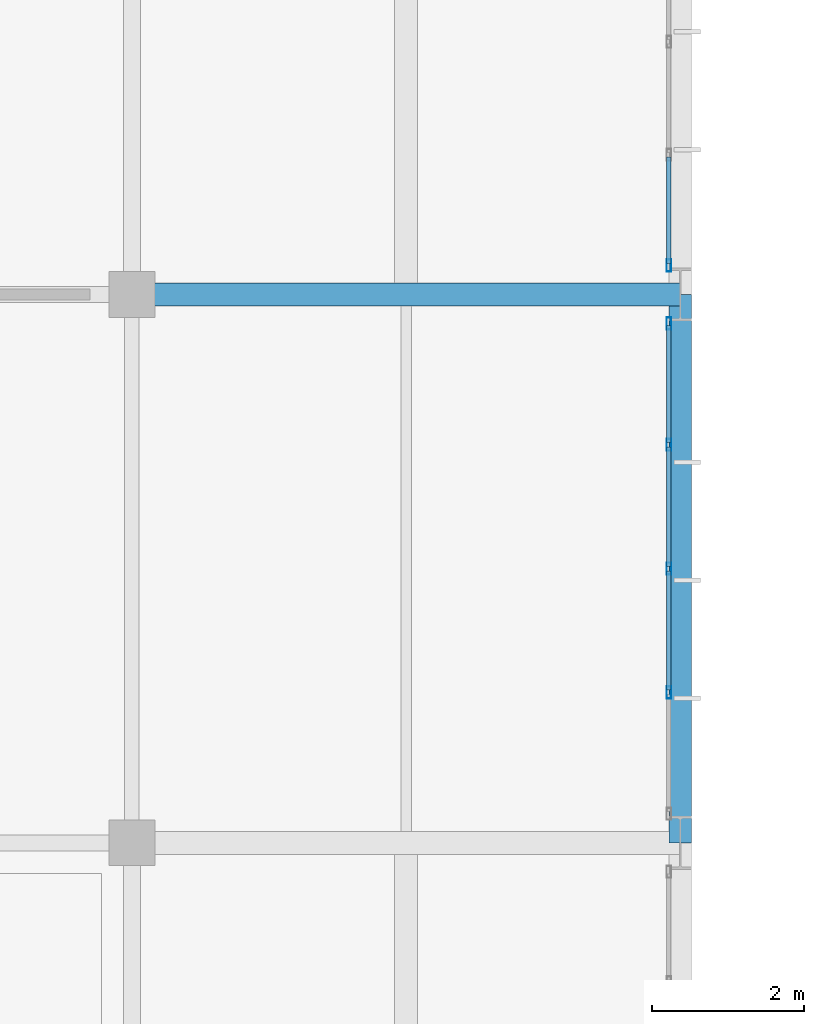
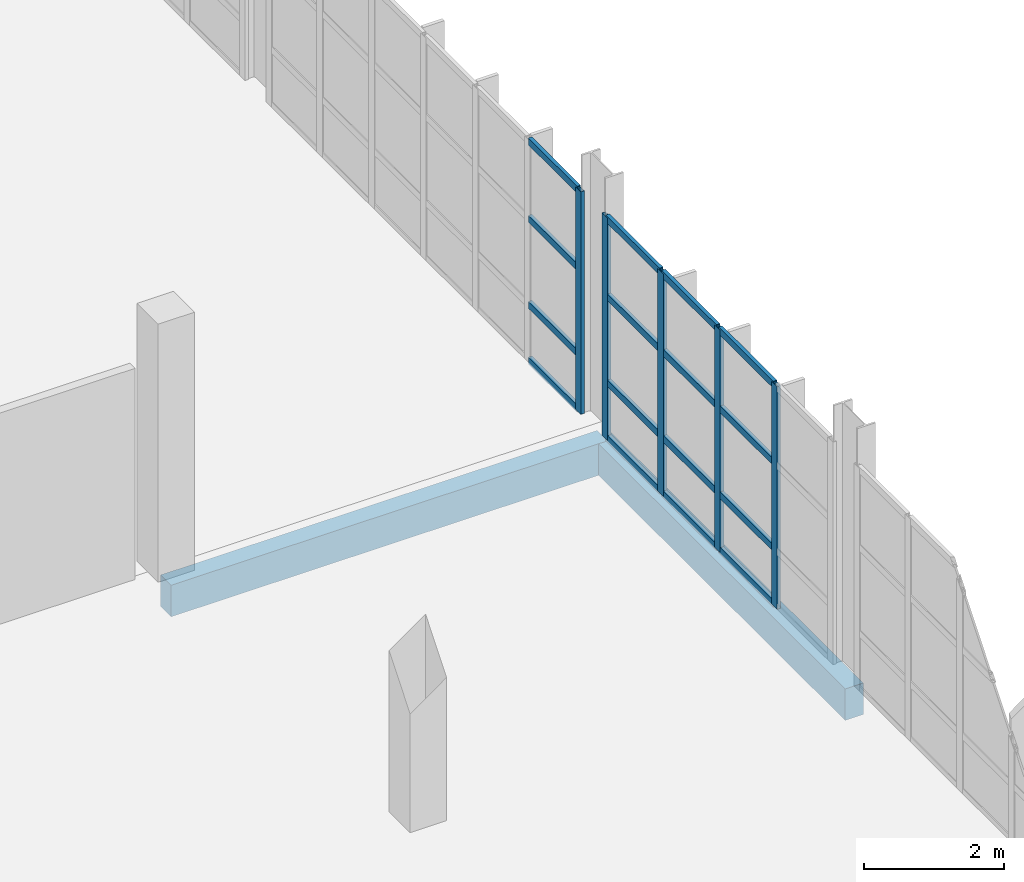
# One storey, part 72 of 113: 21 members, 2 beams, 2 elements without a shape of their own.
"""IFC4 building model written with IfcOpenShell, lengths in metres."""

from ifc_helpers import new_model, si_unit, direction, frame, origin, origin_2d, place, context, subcontext, project, spatial, rectangle, hollow_rectangle, extrude, material, material_profile, profile_set, type_object, element, aggregate, save


model = new_model("IFC4")

# Units and contexts
model_context = context("Model", 3, precision=1e-05, world=origin(), true_north=direction((0.0, 1.0)))
body_context = subcontext(model_context, "Body", "Model", "MODEL_VIEW")
ifc_project = project(units=[si_unit("LENGTHUNIT", "METRE"), si_unit("AREAUNIT", "SQUARE_METRE"), si_unit("VOLUMEUNIT", "CUBIC_METRE"), si_unit("PLANEANGLEUNIT", "RADIAN"), si_unit("MASSUNIT", "GRAM", prefix="KILO")], contexts=[model_context])

# Site, building, storey
site_placement = place(None, origin())
site = spatial("IfcSite", under=ifc_project, at=site_placement, CompositionType="ELEMENT")
building_placement = place(site_placement, origin())
building = spatial("IfcBuilding", under=site, at=building_placement, Name="Veltarok Museum of Natural Sciences", CompositionType="ELEMENT")
storey_placement = place(building_placement, frame((0.0, 0.0, 8.39990234375)))
storey = spatial("IfcBuildingStorey", under=building, at=storey_placement, Name="L01", CompositionType="ELEMENT", Elevation=8.39990234375)

# Curtain wall, members
ifc_material_1 = material(Name="Low-iron triple insulated glass", Category="glass")
curtain_wall_type_1 = type_object("IfcCurtainWallType", Name="Curtain Wall System CW-V5E-L01-C-650x388 (V5 East Lab L01 C-D 650x388cm)", PredefinedType="NOTDEFINED", material=ifc_material_1)
curtain_wall_1_placement = place(storey_placement, origin())
curtain_wall_1 = element("IfcCurtainWall", 1, at=curtain_wall_1_placement, inside=storey, type_object=curtain_wall_type_1, Name="Curtain Wall CW-V5E-L01-C-650x388 CW-0104", PredefinedType="NOTDEFINED")
ifc_material_2 = material(Name="Thermally broken anodised aluminium", Category="aluminium")
ifc_material_profile_1 = material_profile(ifc_material_2, hollow_rectangle(XDim=0.06005859375, YDim=0.1201171875, WallThickness=0.0048828125, at=origin_2d()), Name="CW TRANSOM 60x120x5")
ifc_profile_set_1 = profile_set([ifc_material_profile_1], Name="Thermally broken anodised aluminium")
member_type_1 = type_object("IfcMemberType", Name="Curtain Wall Horizontal Transom 60x120x5", PredefinedType="USERDEFINED", material=ifc_profile_set_1)
member_1_placement = place(storey_placement, frame((164.64990234375, 21.205078125, 0.030029296875), z_axis=(0.0, 1.0, 0.0), x_axis=(-1.0, 0.0, 0.0)))
member_1 = element("IfcMember", 2, at=member_1_placement, type_object=member_type_1, Name="CW-V5E-L01-C-650x388 transom 2.1", ObjectType="TRANSOM", PredefinedType="USERDEFINED", context=body_context, shape_type="SweptSolid", body=[
    extrude(hollow_rectangle(XDim=0.06005859375, YDim=0.1201171875, WallThickness=0.0048828125, at=origin_2d()), origin(), (0.0, 0.0, 1.0), 1.56494140625),
])
member_2_placement = place(storey_placement, frame((164.64990234375, 21.205078125, 1.0), z_axis=(0.0, 1.0, 0.0), x_axis=(-1.0, 0.0, 0.0)))
member_2 = element("IfcMember", 3, at=member_2_placement, type_object=member_type_1, Name="CW-V5E-L01-C-650x388 transom 2.2", ObjectType="TRANSOM", PredefinedType="USERDEFINED", context=body_context, shape_type="SweptSolid", body=[
    extrude(hollow_rectangle(XDim=0.06005859375, YDim=0.1201171875, WallThickness=0.0048828125, at=origin_2d()), origin(), (0.0, 0.0, 1.0), 1.56494140625),
])
member_3_placement = place(storey_placement, frame((164.64990234375, 21.205078125, 2.5), z_axis=(0.0, 1.0, 0.0), x_axis=(-1.0, 0.0, 0.0)))
member_3 = element("IfcMember", 4, at=member_3_placement, type_object=member_type_1, Name="CW-V5E-L01-C-650x388 transom 2.3", ObjectType="TRANSOM", PredefinedType="USERDEFINED", context=body_context, shape_type="SweptSolid", body=[
    extrude(hollow_rectangle(XDim=0.06005859375, YDim=0.1201171875, WallThickness=0.0048828125, at=origin_2d()), origin(), (0.0, 0.0, 1.0), 1.56494140625),
])
member_4_placement = place(storey_placement, frame((164.64990234375, 21.205078125, 3.85009765625), z_axis=(0.0, 1.0, 0.0), x_axis=(-1.0, 0.0, 0.0)))
member_4 = element("IfcMember", 5, at=member_4_placement, type_object=member_type_1, Name="CW-V5E-L01-C-650x388 transom 2.4", ObjectType="TRANSOM", PredefinedType="USERDEFINED", context=body_context, shape_type="SweptSolid", body=[
    extrude(hollow_rectangle(XDim=0.06005859375, YDim=0.1201171875, WallThickness=0.0048828125, at=origin_2d()), origin(), (0.0, 0.0, 1.0), 1.56494140625),
])
member_5_placement = place(storey_placement, frame((164.64990234375, 22.830078125, 0.030029296875), z_axis=(0.0, 1.0, 0.0), x_axis=(-1.0, 0.0, 0.0)))
member_5 = element("IfcMember", 6, at=member_5_placement, type_object=member_type_1, Name="CW-V5E-L01-C-650x388 transom 3.1", ObjectType="TRANSOM", PredefinedType="USERDEFINED", context=body_context, shape_type="SweptSolid", body=[
    extrude(hollow_rectangle(XDim=0.06005859375, YDim=0.1201171875, WallThickness=0.0048828125, at=origin_2d()), origin(), (0.0, 0.0, 1.0), 1.56494140625),
])
member_6_placement = place(storey_placement, frame((164.64990234375, 22.830078125, 1.0), z_axis=(0.0, 1.0, 0.0), x_axis=(-1.0, 0.0, 0.0)))
member_6 = element("IfcMember", 7, at=member_6_placement, type_object=member_type_1, Name="CW-V5E-L01-C-650x388 transom 3.2", ObjectType="TRANSOM", PredefinedType="USERDEFINED", context=body_context, shape_type="SweptSolid", body=[
    extrude(hollow_rectangle(XDim=0.06005859375, YDim=0.1201171875, WallThickness=0.0048828125, at=origin_2d()), origin(), (0.0, 0.0, 1.0), 1.56494140625),
])
member_7_placement = place(storey_placement, frame((164.64990234375, 22.830078125, 2.5), z_axis=(0.0, 1.0, 0.0), x_axis=(-1.0, 0.0, 0.0)))
member_7 = element("IfcMember", 8, at=member_7_placement, type_object=member_type_1, Name="CW-V5E-L01-C-650x388 transom 3.3", ObjectType="TRANSOM", PredefinedType="USERDEFINED", context=body_context, shape_type="SweptSolid", body=[
    extrude(hollow_rectangle(XDim=0.06005859375, YDim=0.1201171875, WallThickness=0.0048828125, at=origin_2d()), origin(), (0.0, 0.0, 1.0), 1.56494140625),
])
member_8_placement = place(storey_placement, frame((164.64990234375, 22.830078125, 3.85009765625), z_axis=(0.0, 1.0, 0.0), x_axis=(-1.0, 0.0, 0.0)))
member_8 = element("IfcMember", 9, at=member_8_placement, type_object=member_type_1, Name="CW-V5E-L01-C-650x388 transom 3.4", ObjectType="TRANSOM", PredefinedType="USERDEFINED", context=body_context, shape_type="SweptSolid", body=[
    extrude(hollow_rectangle(XDim=0.06005859375, YDim=0.1201171875, WallThickness=0.0048828125, at=origin_2d()), origin(), (0.0, 0.0, 1.0), 1.56494140625),
])
member_9_placement = place(storey_placement, frame((164.64990234375, 24.455078125, 0.030029296875), z_axis=(0.0, 1.0, 0.0), x_axis=(-1.0, 0.0, 0.0)))
member_9 = element("IfcMember", 10, at=member_9_placement, type_object=member_type_1, Name="CW-V5E-L01-C-650x388 transom 4.1", ObjectType="TRANSOM", PredefinedType="USERDEFINED", context=body_context, shape_type="SweptSolid", body=[
    extrude(hollow_rectangle(XDim=0.06005859375, YDim=0.1201171875, WallThickness=0.0048828125, at=origin_2d()), origin(), (0.0, 0.0, 1.0), 1.534912109375),
])
member_10_placement = place(storey_placement, frame((164.64990234375, 24.455078125, 1.0), z_axis=(0.0, 1.0, 0.0), x_axis=(-1.0, 0.0, 0.0)))
member_10 = element("IfcMember", 11, at=member_10_placement, type_object=member_type_1, Name="CW-V5E-L01-C-650x388 transom 4.2", ObjectType="TRANSOM", PredefinedType="USERDEFINED", context=body_context, shape_type="SweptSolid", body=[
    extrude(hollow_rectangle(XDim=0.06005859375, YDim=0.1201171875, WallThickness=0.0048828125, at=origin_2d()), origin(), (0.0, 0.0, 1.0), 1.534912109375),
])
member_11_placement = place(storey_placement, frame((164.64990234375, 24.455078125, 2.5), z_axis=(0.0, 1.0, 0.0), x_axis=(-1.0, 0.0, 0.0)))
member_11 = element("IfcMember", 12, at=member_11_placement, type_object=member_type_1, Name="CW-V5E-L01-C-650x388 transom 4.3", ObjectType="TRANSOM", PredefinedType="USERDEFINED", context=body_context, shape_type="SweptSolid", body=[
    extrude(hollow_rectangle(XDim=0.06005859375, YDim=0.1201171875, WallThickness=0.0048828125, at=origin_2d()), origin(), (0.0, 0.0, 1.0), 1.534912109375),
])
member_12_placement = place(storey_placement, frame((164.64990234375, 24.455078125, 3.85009765625), z_axis=(0.0, 1.0, 0.0), x_axis=(-1.0, 0.0, 0.0)))
member_12 = element("IfcMember", 13, at=member_12_placement, type_object=member_type_1, Name="CW-V5E-L01-C-650x388 transom 4.4", ObjectType="TRANSOM", PredefinedType="USERDEFINED", context=body_context, shape_type="SweptSolid", body=[
    extrude(hollow_rectangle(XDim=0.06005859375, YDim=0.1201171875, WallThickness=0.0048828125, at=origin_2d()), origin(), (0.0, 0.0, 1.0), 1.534912109375),
])

curtain_wall_type_2 = type_object("IfcCurtainWallType", Name="Curtain Wall System CW-V5E-L01-D-890x388 (V5 East Lab L01 D-E 890x388cm)", PredefinedType="NOTDEFINED", material=ifc_material_1)
curtain_wall_2_placement = place(storey_placement, origin())
curtain_wall_2 = element("IfcCurtainWall", 14, at=curtain_wall_2_placement, inside=storey, type_object=curtain_wall_type_2, Name="Curtain Wall CW-V5E-L01-D-890x388 CW-0105", PredefinedType="NOTDEFINED")
member_13_placement = place(storey_placement, frame((164.64990234375, 26.81005859375, 0.030029296875), z_axis=(0.0, 1.0, 0.0), x_axis=(-1.0, 0.0, 0.0)))
member_13 = element("IfcMember", 15, at=member_13_placement, type_object=member_type_1, Name="CW-V5E-L01-D-890x388 transom 1.1", ObjectType="TRANSOM", PredefinedType="USERDEFINED", context=body_context, shape_type="SweptSolid", body=[
    extrude(hollow_rectangle(XDim=0.06005859375, YDim=0.1201171875, WallThickness=0.0048828125, at=origin_2d()), origin(), (0.0, 0.0, 1.0), 1.393310546875),
])
member_14_placement = place(storey_placement, frame((164.64990234375, 26.81005859375, 1.0), z_axis=(0.0, 1.0, 0.0), x_axis=(-1.0, 0.0, 0.0)))
member_14 = element("IfcMember", 16, at=member_14_placement, type_object=member_type_1, Name="CW-V5E-L01-D-890x388 transom 1.2", ObjectType="TRANSOM", PredefinedType="USERDEFINED", context=body_context, shape_type="SweptSolid", body=[
    extrude(hollow_rectangle(XDim=0.06005859375, YDim=0.1201171875, WallThickness=0.0048828125, at=origin_2d()), origin(), (0.0, 0.0, 1.0), 1.393310546875),
])
member_15_placement = place(storey_placement, frame((164.64990234375, 26.81005859375, 2.5), z_axis=(0.0, 1.0, 0.0), x_axis=(-1.0, 0.0, 0.0)))
member_15 = element("IfcMember", 17, at=member_15_placement, type_object=member_type_1, Name="CW-V5E-L01-D-890x388 transom 1.3", ObjectType="TRANSOM", PredefinedType="USERDEFINED", context=body_context, shape_type="SweptSolid", body=[
    extrude(hollow_rectangle(XDim=0.06005859375, YDim=0.1201171875, WallThickness=0.0048828125, at=origin_2d()), origin(), (0.0, 0.0, 1.0), 1.393310546875),
])
member_16_placement = place(storey_placement, frame((164.64990234375, 26.81005859375, 3.85009765625), z_axis=(0.0, 1.0, 0.0), x_axis=(-1.0, 0.0, 0.0)))
member_16 = element("IfcMember", 18, at=member_16_placement, type_object=member_type_1, Name="CW-V5E-L01-D-890x388 transom 1.4", ObjectType="TRANSOM", PredefinedType="USERDEFINED", context=body_context, shape_type="SweptSolid", body=[
    extrude(hollow_rectangle(XDim=0.06005859375, YDim=0.1201171875, WallThickness=0.0048828125, at=origin_2d()), origin(), (0.0, 0.0, 1.0), 1.393310546875),
])

# Member
ifc_material_profile_2 = material_profile(ifc_material_2, hollow_rectangle(XDim=0.06005859375, YDim=0.159912109375, WallThickness=0.0048828125, at=origin_2d()), Name="CW MULLION 60x160x5")
ifc_profile_set_2 = profile_set([ifc_material_profile_2], Name="Thermally broken anodised aluminium")
member_type_2 = type_object("IfcMemberType", Name="Curtain Wall Vertical Mullion 60x160x5", PredefinedType="MULLION", material=ifc_profile_set_2)
member_17_placement = place(storey_placement, frame((164.64990234375, 21.175048828125, 0.0), z_axis=(0.0, 0.0, 1.0), x_axis=(-1.0, 0.0, 0.0)))
member_17 = element("IfcMember", 19, at=member_17_placement, type_object=member_type_2, Name="CW-V5E-L01-C-650x388 mullion 2", PredefinedType="MULLION", context=body_context, shape_type="SweptSolid", body=[
    extrude(hollow_rectangle(XDim=0.06005859375, YDim=0.159912109375, WallThickness=0.0048828125, at=origin_2d()), origin(), (0.0, 0.0, 1.0), 3.880126953125),
])

member_18_placement = place(storey_placement, frame((164.64990234375, 22.800048828125, 0.0), z_axis=(0.0, 0.0, 1.0), x_axis=(-1.0, 0.0, 0.0)))
member_18 = element("IfcMember", 20, at=member_18_placement, type_object=member_type_2, Name="CW-V5E-L01-C-650x388 mullion 3", PredefinedType="MULLION", context=body_context, shape_type="SweptSolid", body=[
    extrude(hollow_rectangle(XDim=0.06005859375, YDim=0.159912109375, WallThickness=0.0048828125, at=origin_2d()), origin(), (0.0, 0.0, 1.0), 3.880126953125),
])

member_19_placement = place(storey_placement, frame((164.64990234375, 24.425048828125, 0.0), z_axis=(0.0, 0.0, 1.0), x_axis=(-1.0, 0.0, 0.0)))
member_19 = element("IfcMember", 21, at=member_19_placement, type_object=member_type_2, Name="CW-V5E-L01-C-650x388 mullion 4", PredefinedType="MULLION", context=body_context, shape_type="SweptSolid", body=[
    extrude(hollow_rectangle(XDim=0.06005859375, YDim=0.159912109375, WallThickness=0.0048828125, at=origin_2d()), origin(), (0.0, 0.0, 1.0), 3.880126953125),
])

member_20_placement = place(storey_placement, frame((164.64990234375, 26.02001953125, 0.0), z_axis=(0.0, 0.0, 1.0), x_axis=(-1.0, 0.0, 0.0)))
member_20 = element("IfcMember", 22, at=member_20_placement, type_object=member_type_2, Name="CW-V5E-L01-C-650x388 mullion 5", PredefinedType="MULLION", context=body_context, shape_type="SweptSolid", body=[
    extrude(hollow_rectangle(XDim=0.06005859375, YDim=0.159912109375, WallThickness=0.0048828125, at=origin_2d()), origin(), (0.0, 0.0, 1.0), 3.880126953125),
])

aggregate(curtain_wall_1, [member_17, member_18, member_19, member_20, member_1, member_2, member_3, member_4, member_5, member_6, member_7, member_8, member_9, member_10, member_11, member_12])

member_21_placement = place(storey_placement, frame((164.64990234375, 26.780029296875, 0.0), z_axis=(0.0, 0.0, 1.0), x_axis=(-1.0, 0.0, 0.0)))
member_21 = element("IfcMember", 23, at=member_21_placement, type_object=member_type_2, Name="CW-V5E-L01-D-890x388 mullion 1", PredefinedType="MULLION", context=body_context, shape_type="SweptSolid", body=[
    extrude(hollow_rectangle(XDim=0.06005859375, YDim=0.159912109375, WallThickness=0.0048828125, at=origin_2d()), origin(), (0.0, 0.0, 1.0), 3.880126953125),
])

aggregate(curtain_wall_2, [member_21, member_13, member_14, member_15, member_16])

# Beams
ifc_material_3 = material(Name="Precast concrete C40/50", Category="concrete")
ifc_material_profile_3 = material_profile(ifc_material_3, rectangle(XDim=0.300048828125, YDim=0.550048828125, at=origin_2d()), Name="RC 300x550")
ifc_profile_set_3 = profile_set([ifc_material_profile_3], Name="Precast concrete C40/50")
beam_type = type_object("IfcBeamType", Name="East Wing Precast Spandrel RC 300x550", PredefinedType="SPANDREL", material=ifc_profile_set_3)
for number, where, z_axis, x_axis, name in (
    (24, (157.60009765625, 26.39990234375, -0.52490234375), (1.0, 0.0, 0.0), (0.0, 1.0, 0.0), "Beam BM-SP02 L01 19-20/D"),
    (25, (164.800048828125, 19.199951171875, -0.52490234375), (0.0, 1.0, 0.0), (-1.0, 0.0, 0.0), "Beam BM-SP02 L01 20/C-D"),
):
    element("IfcBeam", number, at=place(storey_placement, frame(where, z_axis=z_axis, x_axis=x_axis)), inside=storey, type_object=beam_type, Name=name, PredefinedType="SPANDREL", context=body_context, shape_type="SweptSolid", body=[
        extrude(rectangle(XDim=0.300048828125, YDim=0.550048828125, at=origin_2d()), origin(), (0.0, 0.0, 1.0), 7.199951171875),
    ])

save(model, "model.ifc")
